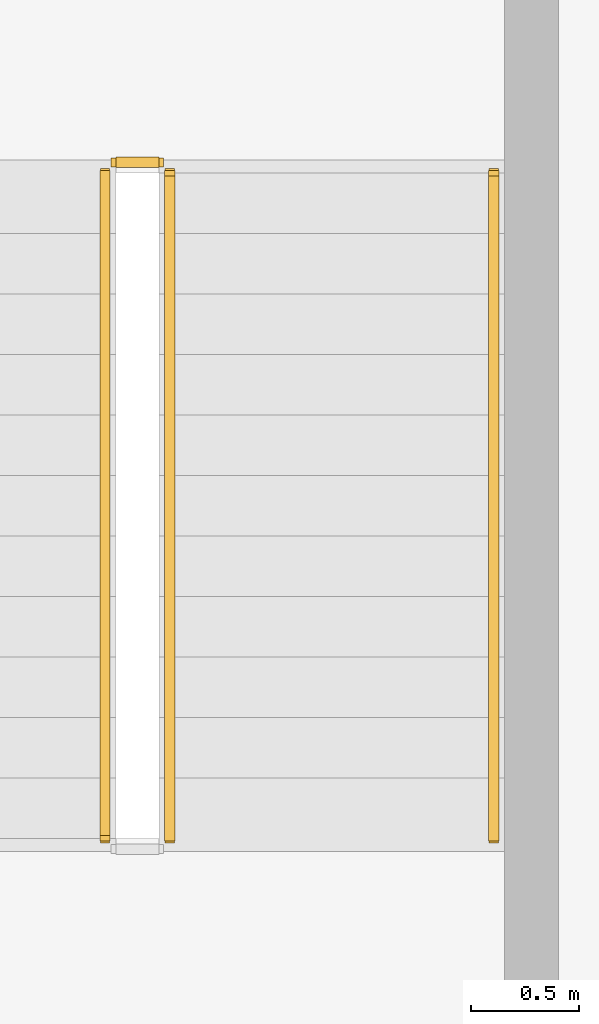
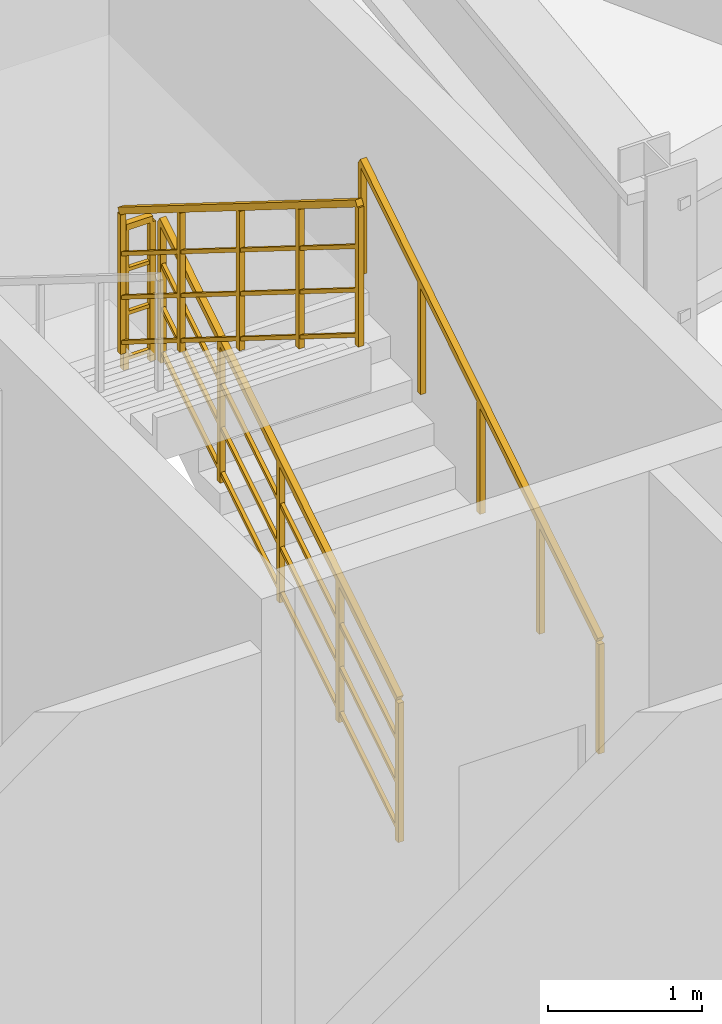
# One storey, part 13 of 13: 4 railings.
"""IFC4 building model written with IfcOpenShell, lengths in metres."""

from ifc_helpers import new_model, si_unit, direction, frame, origin, origin_2d, place, context, subcontext, project, spatial, rectangle, extrude, material, type_object, element, save


model = new_model("IFC4")

# Units and contexts
model_context = context("Model", 3, precision=1e-05, world=origin(), true_north=direction((0.0, 1.0)))
body_context = subcontext(model_context, "Body", "Model", "MODEL_VIEW")
ifc_project = project(units=[si_unit("LENGTHUNIT", "METRE"), si_unit("AREAUNIT", "SQUARE_METRE"), si_unit("VOLUMEUNIT", "CUBIC_METRE"), si_unit("PLANEANGLEUNIT", "RADIAN"), si_unit("MASSUNIT", "GRAM", prefix="KILO")], contexts=[model_context])

# Site, building, storey
site_placement = place(None, origin())
site = spatial("IfcSite", under=ifc_project, at=site_placement, CompositionType="ELEMENT")
building_placement = place(site_placement, origin())
building = spatial("IfcBuilding", under=site, at=building_placement, Name="Varakhsha Concourse Tower", CompositionType="ELEMENT")
storey_placement = place(building_placement, frame((0.0, 0.0, 196.5)))
storey = spatial("IfcBuildingStorey", under=building, at=storey_placement, Name="L56", CompositionType="ELEMENT", Elevation=196.5)

# Railings
ifc_material = material(Name="Brushed Austenitic Stainless Steel AISI 316", Category="steel")
railing_type_1 = type_object("IfcRailingType", Name="RL-STAIR-GUARD-1100", PredefinedType="GUARDRAIL", material=ifc_material)
railing_1_placement = place(storey_placement, frame((40.14990234375, 40.300048828125, 0.175048828125)))
element("IfcRailing", 1, at=railing_1_placement, inside=storey, type_object=railing_type_1, Name="L56 ST5 stair guard 1", PredefinedType="GUARDRAIL", context=body_context, shape_type="SweptSolid", body=[
    extrude(rectangle(XDim=0.048095703125, YDim=0.048095703125, at=origin_2d()), frame((0.0, 0.0, 1.1259765625), z_axis=(0.0, 0.847979421464, 0.530029150871), x_axis=(-1.0, 0.0, 0.0)), (0.0, 0.0, 1.0), 3.632080078125),
    extrude(rectangle(XDim=0.028076171875, YDim=0.028076171875, at=origin_2d()), frame((0.0, 0.0, 0.080078125), z_axis=(0.0, 0.847979421464, 0.530029150871), x_axis=(-1.0, 0.0, 0.0)), (0.0, 0.0, 1.0), 3.632080078125),
    extrude(rectangle(XDim=0.028076171875, YDim=0.028076171875, at=origin_2d()), frame((0.0, 0.0, 0.43701171875), z_axis=(0.0, 0.847979421464, 0.530029150871), x_axis=(-1.0, 0.0, 0.0)), (0.0, 0.0, 1.0), 3.632080078125),
    extrude(rectangle(XDim=0.028076171875, YDim=0.028076171875, at=origin_2d()), frame((0.0, 0.0, 0.781982421875), z_axis=(0.0, 0.847979421464, 0.530029150871), x_axis=(-1.0, 0.0, 0.0)), (0.0, 0.0, 1.0), 3.632080078125),
    extrude(rectangle(XDim=0.0419921875, YDim=0.0419921875, at=origin_2d()), origin(), (0.0, 0.0, 1.0), 1.101806640625),
    extrude(rectangle(XDim=0.0419921875, YDim=0.0419921875, at=origin_2d()), frame((0.0, 0.77001953125, 0.481201171875)), (0.0, 0.0, 1.0), 1.101806640625),
    extrude(rectangle(XDim=0.0419921875, YDim=0.0419921875, at=origin_2d()), frame((0.0, 1.5400390625, 0.96240234375)), (0.0, 0.0, 1.0), 1.101806640625),
    extrude(rectangle(XDim=0.0419921875, YDim=0.0419921875, at=origin_2d()), frame((0.0, 2.309814453125, 1.44384765625)), (0.0, 0.0, 1.0), 1.101806640625),
    extrude(rectangle(XDim=0.0419921875, YDim=0.0419921875, at=origin_2d()), frame((0.0, 3.079833984375, 1.925048828125)), (0.0, 0.0, 1.0), 1.101806640625),
])
railing_2_placement = place(storey_placement, frame((40.10009765625, 43.429931640625, 2.10009765625)))
element("IfcRailing", 2, at=railing_2_placement, inside=storey, type_object=railing_type_1, Name="L56 ST5 stair guard 2", PredefinedType="GUARDRAIL", context=body_context, shape_type="SweptSolid", body=[
    extrude(rectangle(XDim=0.048095703125, YDim=0.048095703125, at=origin_2d()), frame((0.0, 0.0, 1.1259765625), z_axis=(-1.0, 0.0, 0.0), x_axis=(0.0, -1.0, 0.0)), (0.0, 0.0, 1.0), 0.2001953125),
    extrude(rectangle(XDim=0.028076171875, YDim=0.028076171875, at=origin_2d()), frame((0.0, 0.0, 0.080078125), z_axis=(-1.0, 0.0, 0.0), x_axis=(0.0, -1.0, 0.0)), (0.0, 0.0, 1.0), 0.2001953125),
    extrude(rectangle(XDim=0.028076171875, YDim=0.028076171875, at=origin_2d()), frame((0.0, 0.0, 0.43701171875), z_axis=(-1.0, 0.0, 0.0), x_axis=(0.0, -1.0, 0.0)), (0.0, 0.0, 1.0), 0.2001953125),
    extrude(rectangle(XDim=0.028076171875, YDim=0.028076171875, at=origin_2d()), frame((0.0, 0.0, 0.781982421875), z_axis=(-1.0, 0.0, 0.0), x_axis=(0.0, -1.0, 0.0)), (0.0, 0.0, 1.0), 0.2001953125),
    extrude(rectangle(XDim=0.0419921875, YDim=0.0419921875, at=origin_2d()), origin(), (0.0, 0.0, 1.0), 1.101806640625),
    extrude(rectangle(XDim=0.0419921875, YDim=0.0419921875, at=origin_2d()), frame((-0.2001953125, 0.0, 0.0)), (0.0, 0.0, 1.0), 1.101806640625),
])
railing_3_placement = place(storey_placement, frame((39.85009765625, 43.3798828125, 2.27490234375)))
element("IfcRailing", 3, at=railing_3_placement, inside=storey, type_object=railing_type_1, Name="L56 ST5 stair guard 3", PredefinedType="GUARDRAIL", context=body_context, shape_type="SweptSolid", body=[
    extrude(rectangle(XDim=0.048095703125, YDim=0.048095703125, at=origin_2d()), frame((0.0, 0.0, 1.1259765625), z_axis=(0.0, -0.847979421464, 0.530029150871), x_axis=(1.0, 0.0, 0.0)), (0.0, 0.0, 1.0), 3.632080078125),
    extrude(rectangle(XDim=0.028076171875, YDim=0.028076171875, at=origin_2d()), frame((0.0, 0.0, 0.080078125), z_axis=(0.0, -0.847979421464, 0.530029150871), x_axis=(1.0, 0.0, 0.0)), (0.0, 0.0, 1.0), 3.632080078125),
    extrude(rectangle(XDim=0.028076171875, YDim=0.028076171875, at=origin_2d()), frame((0.0, 0.0, 0.43701171875), z_axis=(0.0, -0.847979421464, 0.530029150871), x_axis=(1.0, 0.0, 0.0)), (0.0, 0.0, 1.0), 3.632080078125),
    extrude(rectangle(XDim=0.028076171875, YDim=0.028076171875, at=origin_2d()), frame((0.0, 0.0, 0.781982421875), z_axis=(0.0, -0.847979421464, 0.530029150871), x_axis=(1.0, 0.0, 0.0)), (0.0, 0.0, 1.0), 3.632080078125),
    extrude(rectangle(XDim=0.0419921875, YDim=0.0419921875, at=origin_2d()), origin(), (0.0, 0.0, 1.0), 1.101806640625),
    extrude(rectangle(XDim=0.0419921875, YDim=0.0419921875, at=origin_2d()), frame((0.0, -0.77001953125, 0.481201171875)), (0.0, 0.0, 1.0), 1.101806640625),
    extrude(rectangle(XDim=0.0419921875, YDim=0.0419921875, at=origin_2d()), frame((0.0, -1.5400390625, 0.96240234375)), (0.0, 0.0, 1.0), 1.101806640625),
    extrude(rectangle(XDim=0.0419921875, YDim=0.0419921875, at=origin_2d()), frame((0.0, -2.309814453125, 1.44384765625)), (0.0, 0.0, 1.0), 1.101806640625),
    extrude(rectangle(XDim=0.0419921875, YDim=0.0419921875, at=origin_2d()), frame((0.0, -3.079833984375, 1.925048828125)), (0.0, 0.0, 1.0), 1.101806640625),
])
railing_type_2 = type_object("IfcRailingType", Name="RL-STAIR-RAIL-915", PredefinedType="HANDRAIL", material=ifc_material)
railing_4_placement = place(storey_placement, frame((41.64990234375, 40.300048828125, 0.35009765625)))
element("IfcRailing", 4, at=railing_4_placement, inside=storey, type_object=railing_type_2, Name="L56 ST5 stair handrail 1", PredefinedType="HANDRAIL", context=body_context, shape_type="SweptSolid", body=[
    extrude(rectangle(XDim=0.048095703125, YDim=0.048095703125, at=origin_2d()), frame((0.0, 0.0, 0.89111328125), z_axis=(0.0, 0.848009633417, 0.529980812513), x_axis=(-1.0, 0.0, 0.0)), (0.0, 0.0, 1.0), 3.6318359375),
    extrude(rectangle(XDim=0.0419921875, YDim=0.0419921875, at=origin_2d()), origin(), (0.0, 0.0, 1.0), 0.866943359375),
    extrude(rectangle(XDim=0.0419921875, YDim=0.0419921875, at=origin_2d()), frame((0.0, 0.77001953125, 0.481201171875)), (0.0, 0.0, 1.0), 0.866943359375),
    extrude(rectangle(XDim=0.0419921875, YDim=0.0419921875, at=origin_2d()), frame((0.0, 1.5400390625, 0.96240234375)), (0.0, 0.0, 1.0), 0.866943359375),
    extrude(rectangle(XDim=0.0419921875, YDim=0.0419921875, at=origin_2d()), frame((0.0, 2.309814453125, 1.443603515625)), (0.0, 0.0, 1.0), 0.866943359375),
    extrude(rectangle(XDim=0.0419921875, YDim=0.0419921875, at=origin_2d()), frame((0.0, 3.079833984375, 1.9248046875)), (0.0, 0.0, 1.0), 0.866943359375),
])

save(model, "model.ifc")
